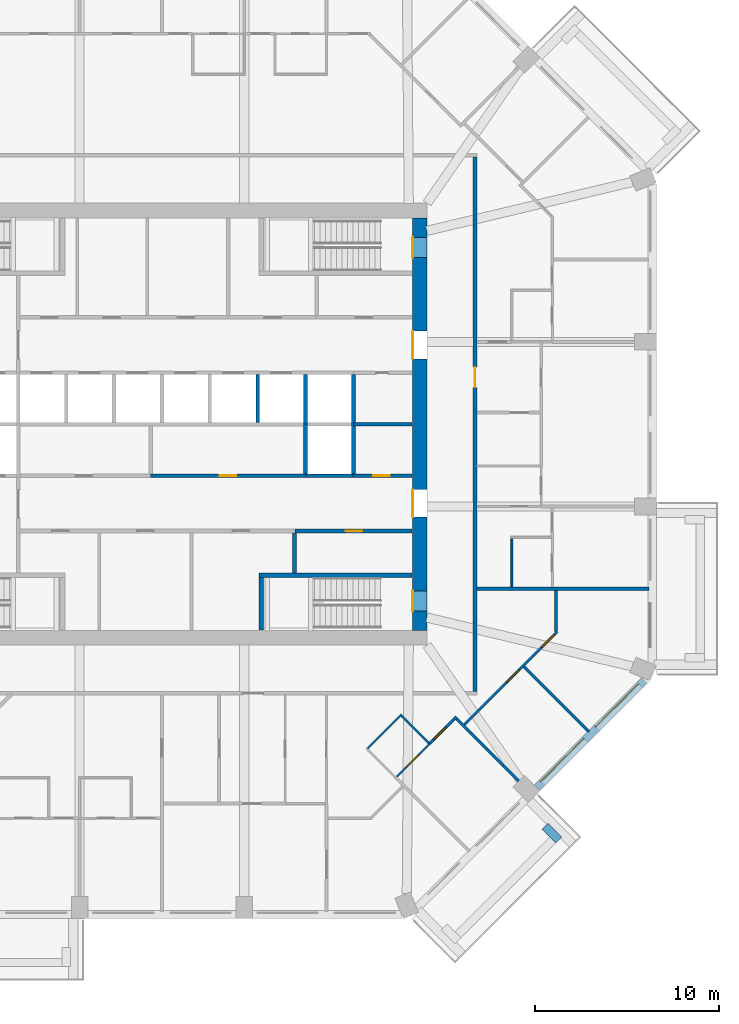
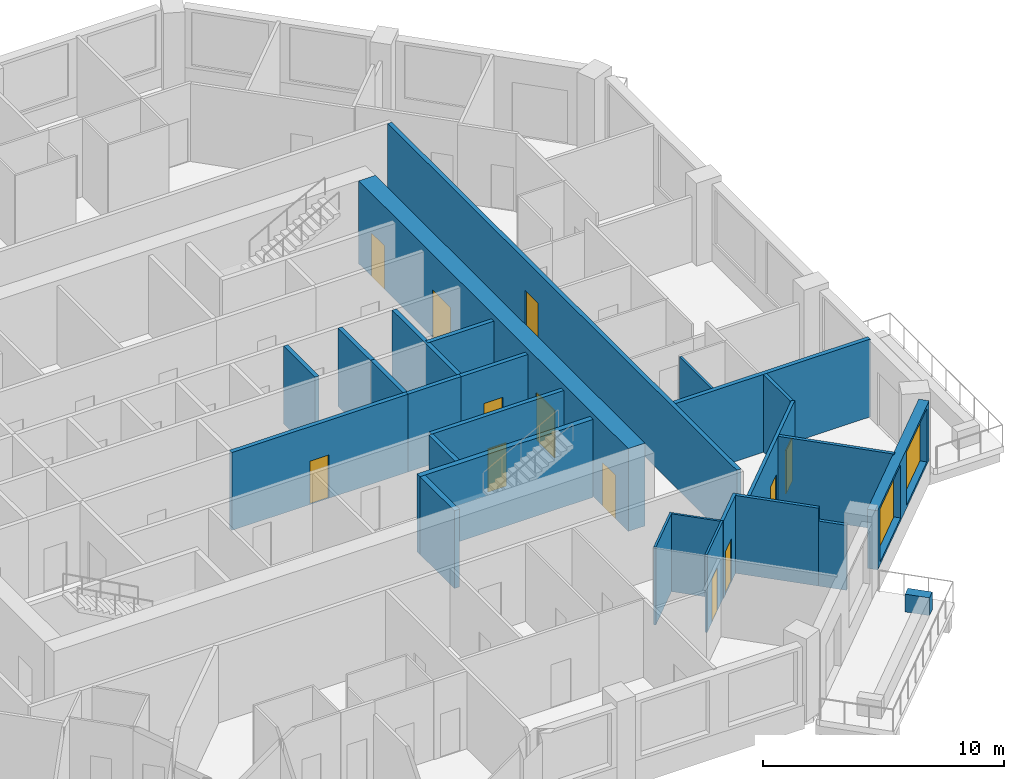
# One storey, part 6 of 12: 27 walls, 12 doors, 2 windows, 14 openings.
"""IFC4 building model written with IfcOpenShell, lengths in metres."""

from ifc_helpers import new_model, si_unit, direction, frame, frame_2d, origin, place, context, subcontext, project, spatial, rectangle, extrude, material, layer, layer_set, type_object, element, fill, save


model = new_model("IFC4")

# Units and contexts
model_context = context("Model", 3, precision=1e-05, world=origin(), true_north=direction((0.0, 1.0)))
body_context = subcontext(model_context, "Body", "Model", "MODEL_VIEW")
ifc_project = project(units=[si_unit("LENGTHUNIT", "METRE"), si_unit("AREAUNIT", "SQUARE_METRE"), si_unit("VOLUMEUNIT", "CUBIC_METRE"), si_unit("PLANEANGLEUNIT", "RADIAN"), si_unit("MASSUNIT", "GRAM", prefix="KILO")], contexts=[model_context])

# Site, building, storey
site_placement = place(None, origin())
site = spatial("IfcSite", under=ifc_project, at=site_placement, CompositionType="ELEMENT")
building_placement = place(site_placement, origin())
building = spatial("IfcBuilding", under=site, at=building_placement, Name="Msitu Wima Residences", CompositionType="ELEMENT")
storey_placement = place(building_placement, frame((0.0, 0.0, 119.10009765625)))
storey = spatial("IfcBuildingStorey", under=building, at=storey_placement, Name="L27", CompositionType="ELEMENT", Elevation=119.10009765625)

# Wall
ifc_material_1 = material(Name="Facing brick")
ifc_layer_1 = layer(ifc_material_1, 0.06494140625, Name="Facing brick")
ifc_material_2 = material(Name="Concrete C40/50", Category="concrete")
ifc_layer_2 = layer(ifc_material_2, 0.156005859375, Name="Concrete C40/50")
ifc_material_3 = material(Name="Waterproofing membrane")
ifc_layer_3 = layer(ifc_material_3, 0.00390625, Name="Waterproofing membrane")
ifc_material_4 = material(Name="Planting soil and planting")
ifc_layer_4 = layer(ifc_material_4, 0.22509765625, Name="Planting soil and planting")
ifc_layer_set_1 = layer_set([ifc_layer_1, ifc_layer_2, ifc_layer_3, ifc_layer_4], Name="Concrete C40/50")
wall_type_1 = type_object("IfcWallType", Name="Balcony planter PLANTER PL450", PredefinedType="USERDEFINED", material=ifc_layer_set_1)
wall_1_placement = place(storey_placement, frame((20.804443359375, -21.829833984375, 0.0), z_axis=(0.0, 0.0, 1.0), x_axis=(0.707106781187, -0.707106781187, 0.0)))
element("IfcWall", 1, at=wall_1_placement, inside=storey, type_object=wall_type_1, Name="Balcony planter SE0 L27", ObjectType="PLANTER", PredefinedType="USERDEFINED", context=body_context, shape_type="SweptSolid", body=[
    extrude(rectangle(XDim=1.050048828125, YDim=0.449951171875, at=frame_2d((0.52490234375, 0.0))), origin(), (0.0, 0.0, 1.0), 0.89990234375),
])

# Wall, openings, windows
ifc_material_5 = material(Name="Brick (red buff mix)", Category="masonry")
ifc_layer_5 = layer(ifc_material_5, 0.449951171875)
ifc_layer_set_2 = layer_set([ifc_layer_5], Name="Brick (red buff mix)")
wall_type_2 = type_object("IfcWallType", Name="Brick infill wall BW450", PredefinedType="SOLIDWALL", material=ifc_layer_set_2)
wall_2_placement = place(storey_placement, frame((20.380126953125, -19.743896484375, 0.89990234375), z_axis=(0.0, 0.0, 1.0), x_axis=(0.707106781187, 0.707106781187, 0.0)))
wall_2 = element("IfcWall", 2, at=wall_2_placement, inside=storey, type_object=wall_type_2, Name="Brick infill wall L27 SE1", PredefinedType="SOLIDWALL", context=body_context, shape_type="SweptSolid", body=[
    extrude(rectangle(XDim=8.251220703125, YDim=0.449951171875, at=frame_2d((4.12548828125, 0.0))), origin(), (0.0, 0.0, 1.0), 3.0),
])
opening_1_placement = place(wall_2_placement, frame((0.37548828125, 0.0, 0.14990234375)))
opening_1 = element("IfcOpeningElement", 3, at=opening_1_placement, cuts=wall_2, Name="Opening W27-29.023", PredefinedType="OPENING", context=body_context, shape_type="SweptSolid", body=[
    extrude(rectangle(XDim=3.300048828125, YDim=2.699951171875, at=frame_2d((1.64990234375, 1.35009765625))), frame((0.0, 0.23486328125, 0.0), z_axis=(0.0, -1.0, 0.0), x_axis=(1.0, 0.0, 0.0)), (0.0, 0.0, 1.0), 0.469970703125),
])
opening_2_placement = place(wall_2_placement, frame((4.57568359375, 0.0, 0.14990234375)))
opening_2 = element("IfcOpeningElement", 4, at=opening_2_placement, cuts=wall_2, Name="Opening W27-29.024", PredefinedType="OPENING", context=body_context, shape_type="SweptSolid", body=[
    extrude(rectangle(XDim=3.300048828125, YDim=2.699951171875, at=frame_2d((1.64990234375, 1.35009765625))), frame((0.0, 0.23486328125, 0.0), z_axis=(0.0, -1.0, 0.0), x_axis=(1.0, 0.0, 0.0)), (0.0, 0.0, 1.0), 0.469970703125),
])
ifc_material_6 = material(Name="Anodised aluminium, bronze finish, clear low-emissivity double glazing", Category="aluminium")
window_type = type_object("IfcWindowType", Name="Window W3300x2700", PartitioningType="DOUBLE_PANEL_VERTICAL", PredefinedType="WINDOW", material=ifc_material_6)
window_1_placement = place(opening_1_placement, origin())
window_1 = element("IfcWindow", 5, at=window_1_placement, inside=storey, type_object=window_type, Name="Window L27 SE1.1", OverallHeight=2.699951171875, OverallWidth=3.300048828125, PartitioningType="SINGLE_PANEL", PredefinedType="WINDOW", context=body_context, shape_type="SweptSolid", body=[
    extrude(rectangle(XDim=3.300048828125, YDim=2.699951171875, at=frame_2d((1.64990234375, 1.35009765625))), frame((0.0, 0.135009765625, 0.0), z_axis=(0.0, -1.0, 0.0), x_axis=(1.0, 0.0, 0.0)), (0.0, 0.0, 1.0), 0.06005859375),
])
fill(opening_1, window_1)
window_2_placement = place(opening_2_placement, origin())
window_2 = element("IfcWindow", 6, at=window_2_placement, inside=storey, type_object=window_type, Name="Window L27 SE1.2", OverallHeight=2.699951171875, OverallWidth=3.300048828125, PartitioningType="SINGLE_PANEL", PredefinedType="WINDOW", context=body_context, shape_type="SweptSolid", body=[
    extrude(rectangle(XDim=3.300048828125, YDim=2.699951171875, at=frame_2d((1.64990234375, 1.35009765625))), frame((0.0, 0.135009765625, 0.0), z_axis=(0.0, -1.0, 0.0), x_axis=(1.0, 0.0, 0.0)), (0.0, 0.0, 1.0), 0.06005859375),
])
fill(opening_2, window_2)

# Wall, openings, doors
ifc_material_7 = material(Name="Concrete C70/85", Category="concrete")
ifc_layer_6 = layer(ifc_material_7, 0.800048828125)
ifc_layer_set_3 = layer_set([ifc_layer_6], Name="Concrete C70/85")
wall_type_3 = type_object("IfcWallType", Name="Core wall CW800 C70/85", PredefinedType="SHEAR", material=ifc_layer_set_3)
wall_3_placement = place(storey_placement, frame((14.0, -11.199951171875, 0.0), z_axis=(0.0, 0.0, 1.0), x_axis=(0.0, 1.0, 0.0)))
wall_3 = element("IfcWall", 7, at=wall_3_placement, inside=storey, type_object=wall_type_3, Name="Core wall", PredefinedType="SHEAR", context=body_context, shape_type="SweptSolid", body=[
    extrude(rectangle(XDim=22.39990234375, YDim=0.800048828125, at=frame_2d((11.199951171875, 0.0))), origin(), (0.0, 0.0, 1.0), 4.199951171875),
])
opening_3_placement = place(wall_3_placement, frame((20.25, 0.0, 0.0)))
opening_3 = element("IfcOpeningElement", 8, at=opening_3_placement, cuts=wall_3, Name="Opening D27-29.035", PredefinedType="OPENING", context=body_context, shape_type="SweptSolid", body=[
    extrude(rectangle(XDim=1.10009765625, YDim=2.199951171875, at=frame_2d((0.550048828125, 1.10009765625))), frame((0.0, 0.409912109375, 0.0), z_axis=(0.0, -1.0, 0.0), x_axis=(1.0, 0.0, 0.0)), (0.0, 0.0, 1.0), 0.820068359375),
])
opening_4_placement = place(wall_3_placement, frame((1.050048828125, 0.0, 0.0)))
opening_4 = element("IfcOpeningElement", 9, at=opening_4_placement, cuts=wall_3, Name="Opening D27-29.036", PredefinedType="OPENING", context=body_context, shape_type="SweptSolid", body=[
    extrude(rectangle(XDim=1.10009765625, YDim=2.199951171875, at=frame_2d((0.550048828125, 1.10009765625))), frame((0.0, 0.409912109375, 0.0), z_axis=(0.0, -1.0, 0.0), x_axis=(1.0, 0.0, 0.0)), (0.0, 0.0, 1.0), 0.820068359375),
])
opening_5_placement = place(wall_3_placement, frame((14.75, 0.0, 0.0)))
opening_5 = element("IfcOpeningElement", 10, at=opening_5_placement, cuts=wall_3, Name="Opening D27-29.025", PredefinedType="OPENING", context=body_context, shape_type="SweptSolid", body=[
    extrude(rectangle(XDim=1.5, YDim=2.39990234375, at=frame_2d((0.75, 1.199951171875))), frame((0.0, 0.409912109375, 0.0), z_axis=(0.0, -1.0, 0.0), x_axis=(1.0, 0.0, 0.0)), (0.0, 0.0, 1.0), 0.820068359375),
])
opening_6_placement = place(wall_3_placement, frame((6.14990234375, 0.0, 0.0)))
opening_6 = element("IfcOpeningElement", 11, at=opening_6_placement, cuts=wall_3, Name="Opening D27-29.026", PredefinedType="OPENING", context=body_context, shape_type="SweptSolid", body=[
    extrude(rectangle(XDim=1.5, YDim=2.39990234375, at=frame_2d((0.75, 1.199951171875))), frame((0.0, 0.409912109375, 0.0), z_axis=(0.0, -1.0, 0.0), x_axis=(1.0, 0.0, 0.0)), (0.0, 0.0, 1.0), 0.820068359375),
])
ifc_material_8 = material(Name="Steel framed glazed door, fire resisting", Category="steel")
door_type_1 = type_object("IfcDoorType", Name="Lobby door D07 1500x2400", OperationType="DOUBLE_DOOR_SINGLE_SWING", PredefinedType="DOOR", material=ifc_material_8)
door_1_placement = place(opening_5_placement, origin())
door_1 = element("IfcDoor", 12, at=door_1_placement, inside=storey, type_object=door_type_1, Name="Lobby door", OperationType="DOUBLE_DOOR_SINGLE_SWING", OverallHeight=2.39990234375, OverallWidth=1.5, PredefinedType="DOOR", context=body_context, shape_type="SweptSolid", body=[
    extrude(rectangle(XDim=1.5, YDim=2.39990234375, at=frame_2d((0.75, 1.199951171875))), frame((0.0, 0.39501953125, 0.0), z_axis=(0.0, -1.0, 0.0), x_axis=(1.0, 0.0, 0.0)), (0.0, 0.0, 1.0), 0.050048828125),
])
fill(opening_5, door_1)
door_2_placement = place(opening_6_placement, origin())
door_2 = element("IfcDoor", 13, at=door_2_placement, inside=storey, type_object=door_type_1, Name="Lobby door", OperationType="DOUBLE_DOOR_SINGLE_SWING", OverallHeight=2.39990234375, OverallWidth=1.5, PredefinedType="DOOR", context=body_context, shape_type="SweptSolid", body=[
    extrude(rectangle(XDim=1.5, YDim=2.39990234375, at=frame_2d((0.75, 1.199951171875))), frame((0.0, 0.39501953125, 0.0), z_axis=(0.0, -1.0, 0.0), x_axis=(1.0, 0.0, 0.0)), (0.0, 0.0, 1.0), 0.050048828125),
])
fill(opening_6, door_2)
ifc_material_9 = material(Name="Steel door, fire resisting, panic bar", Category="steel")
door_type_2 = type_object("IfcDoorType", Name="Stair door D06 1100x2200", OperationType="SINGLE_SWING_LEFT", PredefinedType="DOOR", material=ifc_material_9)
door_3_placement = place(opening_3_placement, origin())
door_3 = element("IfcDoor", 14, at=door_3_placement, inside=storey, type_object=door_type_2, Name="Stair door", OperationType="SINGLE_SWING_LEFT", OverallHeight=2.199951171875, OverallWidth=1.10009765625, PredefinedType="DOOR", context=body_context, shape_type="SweptSolid", body=[
    extrude(rectangle(XDim=1.10009765625, YDim=2.199951171875, at=frame_2d((0.550048828125, 1.10009765625))), frame((0.0, 0.39501953125, 0.0), z_axis=(0.0, -1.0, 0.0), x_axis=(1.0, 0.0, 0.0)), (0.0, 0.0, 1.0), 0.050048828125),
])
fill(opening_3, door_3)
door_4_placement = place(opening_4_placement, origin())
door_4 = element("IfcDoor", 15, at=door_4_placement, inside=storey, type_object=door_type_2, Name="Stair door", OperationType="SINGLE_SWING_RIGHT", OverallHeight=2.199951171875, OverallWidth=1.10009765625, PredefinedType="DOOR", context=body_context, shape_type="SweptSolid", body=[
    extrude(rectangle(XDim=1.10009765625, YDim=2.199951171875, at=frame_2d((0.550048828125, 1.10009765625))), frame((0.0, 0.39501953125, 0.0), z_axis=(0.0, -1.0, 0.0), x_axis=(1.0, 0.0, 0.0)), (0.0, 0.0, 1.0), 0.050048828125),
])
fill(opening_4, door_4)

# Wall, opening, door
ifc_material_10 = material(Name="Plaster")
ifc_layer_7 = layer(ifc_material_10, 0.011962890625, Name="Plaster")
ifc_material_11 = material(Name="Concrete blockwork", Category="masonry")
ifc_layer_8 = layer(ifc_material_11, 0.176025390625, Name="Concrete blockwork")
ifc_layer_9 = layer(ifc_material_10, 0.011962890625, Name="Plaster")
ifc_layer_set_4 = layer_set([ifc_layer_7, ifc_layer_8, ifc_layer_9], Name="Concrete blockwork")
wall_type_4 = type_object("IfcWallType", Name="Corridor wall FW200", PredefinedType="PARTITIONING", material=ifc_layer_set_4)
wall_4_placement = place(storey_placement, frame((17.0, -14.5, 0.0), z_axis=(0.0, 0.0, 1.0), x_axis=(0.0, 1.0, 0.0)))
wall_4 = element("IfcWall", 16, at=wall_4_placement, inside=storey, type_object=wall_type_4, Name="Corridor wall", PredefinedType="PARTITIONING", context=body_context, shape_type="SweptSolid", body=[
    extrude(rectangle(XDim=29.0, YDim=0.199951171875, at=frame_2d((14.5, 0.0))), origin(), (0.0, 0.0, 1.0), 3.949951171875),
])
opening_7_placement = place(wall_4_placement, frame((16.5, 0.0, 0.0)))
opening_7 = element("IfcOpeningElement", 17, at=opening_7_placement, cuts=wall_4, Name="Opening D27-29.008", PredefinedType="OPENING", context=body_context, shape_type="SweptSolid", body=[
    extrude(rectangle(XDim=1.10009765625, YDim=2.39990234375, at=frame_2d((0.550048828125, 1.199951171875))), frame((0.0, 0.10986328125, 0.0), z_axis=(0.0, -1.0, 0.0), x_axis=(1.0, 0.0, 0.0)), (0.0, 0.0, 1.0), 0.219970703125),
])
ifc_material_12 = material(Name="Timber flush door, fire resisting, self-closing", Category="wood")
door_type_3 = type_object("IfcDoorType", Name="Flat entrance door D01 1100x2400", OperationType="SINGLE_SWING_LEFT", PredefinedType="DOOR", material=ifc_material_12)
door_5_placement = place(opening_7_placement, origin())
door_5 = element("IfcDoor", 18, at=door_5_placement, inside=storey, type_object=door_type_3, Name="Flat entrance door", OperationType="SINGLE_SWING_LEFT", OverallHeight=2.39990234375, OverallWidth=1.10009765625, PredefinedType="DOOR", context=body_context, shape_type="SweptSolid", body=[
    extrude(rectangle(XDim=1.10009765625, YDim=2.39990234375, at=frame_2d((0.550048828125, 1.199951171875))), frame((0.0, 0.02490234375, 0.0), z_axis=(0.0, -1.0, 0.0), x_axis=(1.0, 0.0, 0.0)), (0.0, 0.0, 1.0), 0.050048828125),
])
fill(opening_7, door_5)

ifc_layer_10 = layer(ifc_material_10, 0.011962890625, Name="Plaster")
ifc_layer_11 = layer(ifc_material_11, 0.1259765625, Name="Concrete blockwork")
ifc_layer_12 = layer(ifc_material_10, 0.011962890625, Name="Plaster")
ifc_layer_set_5 = layer_set([ifc_layer_10, ifc_layer_11, ifc_layer_12], Name="Concrete blockwork")
wall_type_5 = type_object("IfcWallType", Name="Partition PW150", PredefinedType="PARTITIONING", material=ifc_layer_set_5)
wall_5_placement = place(storey_placement, frame((14.547119140625, -17.339111328125, 0.0), z_axis=(0.0, 0.0, 1.0), x_axis=(0.707106781187, 0.707106781187, 0.0)))
wall_5 = element("IfcWall", 19, at=wall_5_placement, inside=storey, type_object=wall_type_5, Name="Partition", PredefinedType="PARTITIONING", context=body_context, shape_type="SweptSolid", body=[
    extrude(rectangle(XDim=2.049072265625, YDim=0.14990234375, at=frame_2d((1.0244140625, 0.0))), origin(), (0.0, 0.0, 1.0), 3.949951171875),
])
opening_8_placement = place(wall_5_placement, frame((0.300048828125, 0.0, 0.0)))
opening_8 = element("IfcOpeningElement", 20, at=opening_8_placement, cuts=wall_5, Name="Opening D27-29.075", PredefinedType="OPENING", context=body_context, shape_type="SweptSolid", body=[
    extrude(rectangle(XDim=0.949951171875, YDim=2.199951171875, at=frame_2d((0.47509765625, 1.10009765625))), frame((0.0, 0.0849609375, 0.0), z_axis=(0.0, -1.0, 0.0), x_axis=(1.0, 0.0, 0.0)), (0.0, 0.0, 1.0), 0.169921875),
])
ifc_material_13 = material(Name="Timber flush door", Category="wood")
door_type_4 = type_object("IfcDoorType", Name="Room door D12 950x2200", OperationType="SINGLE_SWING_LEFT", PredefinedType="DOOR", material=ifc_material_13)
door_6_placement = place(opening_8_placement, origin())
door_6 = element("IfcDoor", 21, at=door_6_placement, inside=storey, type_object=door_type_4, Name="Room door", OperationType="SINGLE_SWING_LEFT", OverallHeight=2.199951171875, OverallWidth=0.949951171875, PredefinedType="DOOR", context=body_context, shape_type="SweptSolid", body=[
    extrude(rectangle(XDim=0.949951171875, YDim=2.199951171875, at=frame_2d((0.47509765625, 1.10009765625))), frame((0.0, 0.02490234375, 0.0), z_axis=(0.0, -1.0, 0.0), x_axis=(1.0, 0.0, 0.0)), (0.0, 0.0, 1.0), 0.050048828125),
])
fill(opening_8, door_6)

# Walls
wall_6_placement = place(storey_placement, frame((15.99609375, -15.99609375, 0.0), z_axis=(0.0, 0.0, 1.0), x_axis=(0.707106781187, -0.707106781187, 0.0)))
element("IfcWall", 22, at=wall_6_placement, inside=storey, type_object=wall_type_5, Name="Partition", PredefinedType="PARTITIONING", context=body_context, shape_type="SweptSolid", body=[
    extrude(rectangle(XDim=3.56591796875, YDim=0.14990234375, at=frame_2d((1.782958984375, 0.0))), origin(), (0.0, 0.0, 1.0), 3.949951171875),
])
wall_7_placement = place(storey_placement, frame((18.517578125, -18.517578125, 0.0), z_axis=(0.0, 0.0, 1.0), x_axis=(0.707106781187, -0.707106781187, 0.0)))
element("IfcWall", 23, at=wall_7_placement, inside=storey, type_object=wall_type_5, Name="Partition", PredefinedType="PARTITIONING", context=body_context, shape_type="SweptSolid", body=[
    extrude(rectangle(XDim=1.209228515625, YDim=0.14990234375, at=frame_2d((0.6044921875, 0.0))), origin(), (0.0, 0.0, 1.0), 3.2998046875),
])

# Wall, openings, doors
wall_8_placement = place(storey_placement, frame((16.42041015625, -16.314453125, 0.0), z_axis=(0.0, 0.0, 1.0), x_axis=(0.707106781187, 0.707106781187, 0.0)))
wall_8 = element("IfcWall", 24, at=wall_8_placement, inside=storey, type_object=wall_type_5, Name="Partition", PredefinedType="PARTITIONING", context=body_context, shape_type="SweptSolid", body=[
    extrude(rectangle(XDim=7.117431640625, YDim=0.14990234375, at=frame_2d((3.55859375, 0.0))), origin(), (0.0, 0.0, 1.0), 3.949951171875),
])
opening_9_placement = place(wall_8_placement, frame((3.25, 0.0, 0.0)))
opening_9 = element("IfcOpeningElement", 25, at=opening_9_placement, cuts=wall_8, Name="Opening D27-29.074", PredefinedType="OPENING", context=body_context, shape_type="SweptSolid", body=[
    extrude(rectangle(XDim=0.949951171875, YDim=2.199951171875, at=frame_2d((0.47509765625, 1.10009765625))), frame((0.0, 0.0849609375, 0.0), z_axis=(0.0, -1.0, 0.0), x_axis=(1.0, 0.0, 0.0)), (0.0, 0.0, 1.0), 0.169921875),
])
opening_10_placement = place(wall_8_placement, frame((5.949951171875, 0.0, 0.0)))
opening_10 = element("IfcOpeningElement", 26, at=opening_10_placement, cuts=wall_8, Name="Opening D27-29.077", PredefinedType="OPENING", context=body_context, shape_type="SweptSolid", body=[
    extrude(rectangle(XDim=0.949951171875, YDim=2.199951171875, at=frame_2d((0.47509765625, 1.10009765625))), frame((0.0, 0.0849609375, 0.0), z_axis=(0.0, -1.0, 0.0), x_axis=(1.0, 0.0, 0.0)), (0.0, 0.0, 1.0), 0.169921875),
])
door_7_placement = place(opening_9_placement, origin())
door_7 = element("IfcDoor", 27, at=door_7_placement, inside=storey, type_object=door_type_4, Name="Room door", OperationType="SINGLE_SWING_LEFT", OverallHeight=2.199951171875, OverallWidth=0.949951171875, PredefinedType="DOOR", context=body_context, shape_type="SweptSolid", body=[
    extrude(rectangle(XDim=0.949951171875, YDim=2.199951171875, at=frame_2d((0.47509765625, 1.10009765625))), frame((0.0, 0.02490234375, 0.0), z_axis=(0.0, -1.0, 0.0), x_axis=(1.0, 0.0, 0.0)), (0.0, 0.0, 1.0), 0.050048828125),
])
fill(opening_9, door_7)
door_8_placement = place(opening_10_placement, origin())
door_8 = element("IfcDoor", 28, at=door_8_placement, inside=storey, type_object=door_type_4, Name="Room door", OperationType="SINGLE_SWING_RIGHT", OverallHeight=2.199951171875, OverallWidth=0.949951171875, PredefinedType="DOOR", context=body_context, shape_type="SweptSolid", body=[
    extrude(rectangle(XDim=0.949951171875, YDim=2.199951171875, at=frame_2d((0.47509765625, 1.10009765625))), frame((0.0, 0.02490234375, 0.0), z_axis=(0.0, -1.0, 0.0), x_axis=(1.0, 0.0, 0.0)), (0.0, 0.0, 1.0), 0.050048828125),
])
fill(opening_10, door_8)

# Walls
wall_9_placement = place(storey_placement, frame((19.6689453125, -13.171875, 0.0), z_axis=(0.0, 0.0, 1.0), x_axis=(0.707106781187, -0.707106781187, 0.0)))
element("IfcWall", 29, at=wall_9_placement, inside=storey, type_object=wall_type_5, Name="Partition", PredefinedType="PARTITIONING", context=body_context, shape_type="SweptSolid", body=[
    extrude(rectangle(XDim=4.980224609375, YDim=0.14990234375, at=frame_2d((2.490234375, 0.0))), origin(), (0.0, 0.0, 1.0), 3.949951171875),
])
wall_10_placement = place(storey_placement, frame((21.39990234375, -11.259765625, 0.0), z_axis=(0.0, 0.0, 1.0), x_axis=(0.0, 1.0, 0.0)))
element("IfcWall", 30, at=wall_10_placement, inside=storey, type_object=wall_type_5, Name="Partition", PredefinedType="PARTITIONING", context=body_context, shape_type="SweptSolid", body=[
    extrude(rectangle(XDim=2.222412109375, YDim=0.14990234375, at=frame_2d((1.111328125, 0.0))), origin(), (0.0, 0.0, 1.0), 3.949951171875),
])
ifc_layer_13 = layer(ifc_material_10, 0.011962890625, Name="Plaster")
ifc_material_14 = material(Name="Dense concrete blockwork", Category="masonry")
ifc_layer_14 = layer(ifc_material_14, 0.176025390625, Name="Dense concrete blockwork")
ifc_layer_15 = layer(ifc_material_10, 0.011962890625, Name="Plaster")
ifc_layer_set_6 = layer_set([ifc_layer_13, ifc_layer_14, ifc_layer_15], Name="Dense concrete blockwork")
wall_type_6 = type_object("IfcWallType", Name="Party wall PW200", PredefinedType="PARTITIONING", material=ifc_layer_set_6)
wall_11_placement = place(storey_placement, frame((17.10009765625, -8.937255859375, 0.0), z_axis=(0.0, 0.0, 1.0), x_axis=(1.0, 0.0, 0.0)))
element("IfcWall", 31, at=wall_11_placement, inside=storey, type_object=wall_type_6, Name="Party wall", PredefinedType="PARTITIONING", context=body_context, shape_type="SweptSolid", body=[
    extrude(rectangle(XDim=9.35498046875, YDim=0.199951171875, at=frame_2d((4.677490234375, 0.0))), origin(), (0.0, 0.0, 1.0), 3.949951171875),
])

# Wall, opening, door
ifc_layer_16 = layer(ifc_material_10, 0.011962890625, Name="Plaster")
ifc_material_15 = material(Name="Reinforced concrete blockwork", Category="masonry")
ifc_layer_17 = layer(ifc_material_15, 0.176025390625, Name="Reinforced concrete blockwork")
ifc_layer_18 = layer(ifc_material_10, 0.011962890625, Name="Plaster")
ifc_layer_set_7 = layer_set([ifc_layer_16, ifc_layer_17, ifc_layer_18], Name="Reinforced concrete blockwork")
wall_type_7 = type_object("IfcWallType", Name="Plant and riser wall PL200", PredefinedType="PARTITIONING", material=ifc_layer_set_7)
wall_12_placement = place(storey_placement, frame((-0.6201171875, -2.800048828125, 0.0), z_axis=(0.0, 0.0, 1.0), x_axis=(1.0, 0.0, 0.0)))
wall_12 = element("IfcWall", 32, at=wall_12_placement, inside=storey, type_object=wall_type_7, Name="Plant and riser wall", PredefinedType="PARTITIONING", context=body_context, shape_type="SweptSolid", body=[
    extrude(rectangle(XDim=8.440185546875, YDim=0.199951171875, at=frame_2d((4.22021484375, 0.0))), origin(), (0.0, 0.0, 1.0), 3.949951171875),
])
opening_11_placement = place(wall_12_placement, frame((3.75, 0.0, 0.0)))
opening_11 = element("IfcOpeningElement", 33, at=opening_11_placement, cuts=wall_12, Name="Opening D27-29.030", PredefinedType="OPENING", context=body_context, shape_type="SweptSolid", body=[
    extrude(rectangle(XDim=0.89990234375, YDim=2.199951171875, at=frame_2d((0.449951171875, 1.10009765625))), frame((0.0, 0.10986328125, 0.0), z_axis=(0.0, -1.0, 0.0), x_axis=(1.0, 0.0, 0.0)), (0.0, 0.0, 1.0), 0.219970703125),
])
door_type_5 = type_object("IfcDoorType", Name="Service door D05 900x2200", OperationType="SINGLE_SWING_LEFT", PredefinedType="DOOR", material=ifc_material_13)
door_9_placement = place(opening_11_placement, origin())
door_9 = element("IfcDoor", 34, at=door_9_placement, inside=storey, type_object=door_type_5, Name="Service door", OperationType="SINGLE_SWING_LEFT", OverallHeight=2.199951171875, OverallWidth=0.89990234375, PredefinedType="DOOR", context=body_context, shape_type="SweptSolid", body=[
    extrude(rectangle(XDim=0.89990234375, YDim=2.199951171875, at=frame_2d((0.449951171875, 1.10009765625))), frame((0.0, 0.02490234375, 0.0), z_axis=(0.0, -1.0, 0.0), x_axis=(1.0, 0.0, 0.0)), (0.0, 0.0, 1.0), 0.050048828125),
])
fill(opening_11, door_9)

wall_13_placement = place(storey_placement, frame((7.219970703125, -5.800048828125, 0.0), z_axis=(0.0, 0.0, 1.0), x_axis=(1.0, 0.0, 0.0)))
wall_13 = element("IfcWall", 35, at=wall_13_placement, inside=storey, type_object=wall_type_7, Name="Plant and riser wall", PredefinedType="PARTITIONING", context=body_context, shape_type="SweptSolid", body=[
    extrude(rectangle(XDim=6.35009765625, YDim=0.199951171875, at=frame_2d((3.175048828125, 0.0))), origin(), (0.0, 0.0, 1.0), 3.949951171875),
])
opening_12_placement = place(wall_13_placement, frame((2.75, 0.0, 0.0)))
opening_12 = element("IfcOpeningElement", 36, at=opening_12_placement, cuts=wall_13, Name="Opening D27-29.024", PredefinedType="OPENING", context=body_context, shape_type="SweptSolid", body=[
    extrude(rectangle(XDim=0.89990234375, YDim=2.199951171875, at=frame_2d((0.449951171875, 1.10009765625))), frame((0.0, 0.10986328125, 0.0), z_axis=(0.0, -1.0, 0.0), x_axis=(1.0, 0.0, 0.0)), (0.0, 0.0, 1.0), 0.219970703125),
])
door_10_placement = place(opening_12_placement, origin())
door_10 = element("IfcDoor", 37, at=door_10_placement, inside=storey, type_object=door_type_5, Name="Service door", OperationType="SINGLE_SWING_RIGHT", OverallHeight=2.199951171875, OverallWidth=0.89990234375, PredefinedType="DOOR", context=body_context, shape_type="SweptSolid", body=[
    extrude(rectangle(XDim=0.89990234375, YDim=2.199951171875, at=frame_2d((0.449951171875, 1.10009765625))), frame((0.0, 0.02490234375, 0.0), z_axis=(0.0, -1.0, 0.0), x_axis=(1.0, 0.0, 0.0)), (0.0, 0.0, 1.0), 0.050048828125),
])
fill(opening_12, door_10)

# Wall
wall_14_placement = place(storey_placement, frame((7.199951171875, -8.074951171875, 0.0), z_axis=(0.0, 0.0, 1.0), x_axis=(0.0, 1.0, 0.0)))
element("IfcWall", 38, at=wall_14_placement, inside=storey, type_object=wall_type_7, Name="Plant and riser wall", PredefinedType="PARTITIONING", context=body_context, shape_type="SweptSolid", body=[
    extrude(rectangle(XDim=2.175048828125, YDim=0.199951171875, at=frame_2d((1.08740234375, 0.0))), origin(), (0.0, 0.0, 1.0), 3.949951171875),
])

# Wall, opening, door
wall_15_placement = place(storey_placement, frame((10.3798828125, -2.800048828125, 0.0), z_axis=(0.0, 0.0, 1.0), x_axis=(1.0, 0.0, 0.0)))
wall_15 = element("IfcWall", 39, at=wall_15_placement, inside=storey, type_object=wall_type_7, Name="Plant and riser wall", PredefinedType="PARTITIONING", context=body_context, shape_type="SweptSolid", body=[
    extrude(rectangle(XDim=3.190185546875, YDim=0.199951171875, at=frame_2d((1.59521484375, 0.0))), origin(), (0.0, 0.0, 1.0), 3.949951171875),
])
opening_13_placement = place(wall_15_placement, frame((1.10009765625, 0.0, 0.0)))
opening_13 = element("IfcOpeningElement", 40, at=opening_13_placement, cuts=wall_15, Name="Opening D27-29.011", PredefinedType="OPENING", context=body_context, shape_type="SweptSolid", body=[
    extrude(rectangle(XDim=0.89990234375, YDim=2.199951171875, at=frame_2d((0.449951171875, 1.10009765625))), frame((0.0, 0.10986328125, 0.0), z_axis=(0.0, -1.0, 0.0), x_axis=(1.0, 0.0, 0.0)), (0.0, 0.0, 1.0), 0.219970703125),
])
door_11_placement = place(opening_13_placement, origin())
door_11 = element("IfcDoor", 41, at=door_11_placement, inside=storey, type_object=door_type_5, Name="Service door", OperationType="SINGLE_SWING_LEFT", OverallHeight=2.199951171875, OverallWidth=0.89990234375, PredefinedType="DOOR", context=body_context, shape_type="SweptSolid", body=[
    extrude(rectangle(XDim=0.89990234375, YDim=2.199951171875, at=frame_2d((0.449951171875, 1.10009765625))), frame((0.0, 0.02490234375, 0.0), z_axis=(0.0, -1.0, 0.0), x_axis=(1.0, 0.0, 0.0)), (0.0, 0.0, 1.0), 0.050048828125),
])
fill(opening_13, door_11)

# Walls
wall_16_placement = place(storey_placement, frame((10.39990234375, 0.0, 0.0), z_axis=(0.0, 0.0, 1.0), x_axis=(1.0, 0.0, 0.0)))
element("IfcWall", 42, at=wall_16_placement, inside=storey, type_object=wall_type_7, Name="Plant and riser wall", PredefinedType="PARTITIONING", context=body_context, shape_type="SweptSolid", body=[
    extrude(rectangle(XDim=3.170166015625, YDim=0.199951171875, at=frame_2d((1.5849609375, 0.0))), origin(), (0.0, 0.0, 1.0), 3.949951171875),
])
ifc_material_16 = material(Name="Fire-rated board")
ifc_layer_19 = layer(ifc_material_16, 0.02490234375, Name="Fire-rated board")
ifc_material_17 = material(Name="Light-gauge stud framing with mineral wool")
ifc_layer_20 = layer(ifc_material_17, 0.14990234375, Name="Light-gauge stud framing with mineral wool")
ifc_layer_21 = layer(ifc_material_16, 0.02490234375, Name="Fire-rated board")
ifc_layer_set_8 = layer_set([ifc_layer_19, ifc_layer_20, ifc_layer_21], Name="Light-gauge stud framing with mineral wool")
wall_type_8 = type_object("IfcWallType", Name="Shaft wall SH200", PredefinedType="PARTITIONING", material=ifc_layer_set_8)
wall_17_placement = place(storey_placement, frame((5.199951171875, 0.10009765625, 0.0), z_axis=(0.0, 0.0, 1.0), x_axis=(0.0, 1.0, 0.0)))
element("IfcWall", 43, at=wall_17_placement, inside=storey, type_object=wall_type_8, Name="Shaft wall", PredefinedType="PARTITIONING", context=body_context, shape_type="SweptSolid", body=[
    extrude(rectangle(XDim=2.599853515625, YDim=0.199951171875, at=frame_2d((1.2998046875, 0.0))), origin(), (0.0, 0.0, 1.0), 3.949951171875),
])
wall_18_placement = place(storey_placement, frame((7.800048828125, -2.699951171875, 0.0), z_axis=(0.0, 0.0, 1.0), x_axis=(0.0, 1.0, 0.0)))
element("IfcWall", 44, at=wall_18_placement, inside=storey, type_object=wall_type_8, Name="Shaft wall", PredefinedType="PARTITIONING", context=body_context, shape_type="SweptSolid", body=[
    extrude(rectangle(XDim=2.699951171875, YDim=0.199951171875, at=frame_2d((1.35009765625, 0.0))), origin(), (0.0, 0.0, 1.0), 3.949951171875),
])
wall_19_placement = place(storey_placement, frame((7.820068359375, -2.800048828125, 0.0), z_axis=(0.0, 0.0, 1.0), x_axis=(1.0, 0.0, 0.0)))
element("IfcWall", 45, at=wall_19_placement, inside=storey, type_object=wall_type_8, Name="Shaft wall", PredefinedType="PARTITIONING", context=body_context, shape_type="SweptSolid", body=[
    extrude(rectangle(XDim=2.559814453125, YDim=0.199951171875, at=frame_2d((1.27978515625, 0.0))), origin(), (0.0, 0.0, 1.0), 3.949951171875),
])
wall_20_placement = place(storey_placement, frame((7.800048828125, 0.0, 0.0), z_axis=(0.0, 0.0, 1.0), x_axis=(0.0, 1.0, 0.0)))
element("IfcWall", 46, at=wall_20_placement, inside=storey, type_object=wall_type_8, Name="Shaft wall", PredefinedType="PARTITIONING", context=body_context, shape_type="SweptSolid", body=[
    extrude(rectangle(XDim=2.699951171875, YDim=0.199951171875, at=frame_2d((1.35009765625, 0.0))), origin(), (0.0, 0.0, 1.0), 3.949951171875),
])
wall_21_placement = place(storey_placement, frame((10.39990234375, -2.699951171875, 0.0), z_axis=(0.0, 0.0, 1.0), x_axis=(0.0, 1.0, 0.0)))
element("IfcWall", 47, at=wall_21_placement, inside=storey, type_object=wall_type_8, Name="Shaft wall", PredefinedType="PARTITIONING", context=body_context, shape_type="SweptSolid", body=[
    extrude(rectangle(XDim=5.39990234375, YDim=0.199951171875, at=frame_2d((2.699951171875, 0.0))), origin(), (0.0, 0.0, 1.0), 3.949951171875),
])
ifc_material_18 = material(Name="Concrete C50/60", Category="concrete")
ifc_layer_22 = layer(ifc_material_18, 0.25)
ifc_layer_set_9 = layer_set([ifc_layer_22], Name="Concrete C50/60")
wall_type_9 = type_object("IfcWallType", Name="Stair enclosure wall SW250", PredefinedType="SHEAR", material=ifc_layer_set_9)
wall_22_placement = place(storey_placement, frame((5.39990234375, -11.169921875, 0.0), z_axis=(0.0, 0.0, 1.0), x_axis=(0.0, 1.0, 0.0)))
element("IfcWall", 48, at=wall_22_placement, inside=storey, type_object=wall_type_9, Name="Stair enclosure wall", PredefinedType="SHEAR", context=body_context, shape_type="SweptSolid", body=[
    extrude(rectangle(XDim=2.844970703125, YDim=0.25, at=frame_2d((1.42236328125, 0.0))), origin(), (0.0, 0.0, 1.0), 3.949951171875),
])
wall_23_placement = place(storey_placement, frame((5.27490234375, -8.199951171875, 0.0), z_axis=(0.0, 0.0, 1.0), x_axis=(1.0, 0.0, 0.0)))
element("IfcWall", 49, at=wall_23_placement, inside=storey, type_object=wall_type_9, Name="Stair enclosure wall", PredefinedType="SHEAR", context=body_context, shape_type="SweptSolid", body=[
    extrude(rectangle(XDim=8.295166015625, YDim=0.25, at=frame_2d((4.1474609375, 0.0))), origin(), (0.0, 0.0, 1.0), 3.949951171875),
])
ifc_material_19 = material(Name="Ceramic tiles")
ifc_layer_23 = layer(ifc_material_19, 0.008056640625, Name="Ceramic tiles")
ifc_material_20 = material(Name="Moisture-resistant board")
ifc_layer_24 = layer(ifc_material_20, 0.012451171875, Name="Moisture-resistant board")
ifc_layer_25 = layer(ifc_material_17, 0.06689453125, Name="Light-gauge stud framing with mineral wool")
ifc_layer_26 = layer(ifc_material_20, 0.012451171875, Name="Moisture-resistant board")
ifc_layer_set_10 = layer_set([ifc_layer_23, ifc_layer_24, ifc_layer_25, ifc_layer_26], Name="Light-gauge stud framing with mineral wool")
wall_type_10 = type_object("IfcWallType", Name="Wet wall PW100", PredefinedType="PARTITIONING", material=ifc_layer_set_10)
wall_24_placement = place(storey_placement, frame((11.17431640625, -17.6005859375, 0.0), z_axis=(0.0, 0.0, 1.0), x_axis=(0.707106781187, 0.707106781187, 0.0)))
element("IfcWall", 50, at=wall_24_placement, inside=storey, type_object=wall_type_10, Name="Wet wall", PredefinedType="PARTITIONING", context=body_context, shape_type="SweptSolid", body=[
    extrude(rectangle(XDim=2.599853515625, YDim=0.10009765625, at=frame_2d((1.2998046875, 0.0))), origin(), (0.0, 0.0, 1.0), 3.949951171875),
])

# Wall, opening, door
wall_25_placement = place(storey_placement, frame((12.74755859375, -19.138671875, 0.0), z_axis=(0.0, 0.0, 1.0), x_axis=(0.707106781187, 0.707106781187, 0.0)))
wall_25 = element("IfcWall", 51, at=wall_25_placement, inside=storey, type_object=wall_type_10, Name="Wet wall", PredefinedType="PARTITIONING", context=body_context, shape_type="SweptSolid", body=[
    extrude(rectangle(XDim=2.544921875, YDim=0.10009765625, at=frame_2d((1.2724609375, 0.0))), origin(), (0.0, 0.0, 1.0), 3.949951171875),
])
opening_14_placement = place(wall_25_placement, frame((0.75, 0.0, 0.0)))
opening_14 = element("IfcOpeningElement", 52, at=opening_14_placement, cuts=wall_25, Name="Opening D27-29.076", PredefinedType="OPENING", context=body_context, shape_type="SweptSolid", body=[
    extrude(rectangle(XDim=0.89990234375, YDim=2.199951171875, at=frame_2d((0.449951171875, 1.10009765625))), frame((0.0, 0.06005859375, 0.0), z_axis=(0.0, -1.0, 0.0), x_axis=(1.0, 0.0, 0.0)), (0.0, 0.0, 1.0), 0.1201171875),
])
ifc_material_21 = material(Name="Timber flush door, moisture resistant", Category="wood")
door_type_6 = type_object("IfcDoorType", Name="Bathroom door D03 900x2200", OperationType="SINGLE_SWING_LEFT", PredefinedType="DOOR", material=ifc_material_21)
door_12_placement = place(opening_14_placement, origin())
door_12 = element("IfcDoor", 53, at=door_12_placement, inside=storey, type_object=door_type_6, Name="Bathroom door", OperationType="SINGLE_SWING_LEFT", OverallHeight=2.199951171875, OverallWidth=0.89990234375, PredefinedType="DOOR", context=body_context, shape_type="SweptSolid", body=[
    extrude(rectangle(XDim=0.89990234375, YDim=2.199951171875, at=frame_2d((0.449951171875, 1.10009765625))), frame((0.0, 0.02490234375, 0.0), z_axis=(0.0, -1.0, 0.0), x_axis=(1.0, 0.0, 0.0)), (0.0, 0.0, 1.0), 0.050048828125),
])
fill(opening_14, door_12)

# Walls
wall_26_placement = place(storey_placement, frame((13.0126953125, -15.8330078125, 0.0), z_axis=(0.0, 0.0, 1.0), x_axis=(0.707164905125, -0.70704865247, 0.0)))
element("IfcWall", 54, at=wall_26_placement, inside=storey, type_object=wall_type_10, Name="Wet wall", PredefinedType="PARTITIONING", context=body_context, shape_type="SweptSolid", body=[
    extrude(rectangle(XDim=2.10009765625, YDim=0.10009765625, at=frame_2d((1.050048828125, 0.0))), origin(), (0.0, 0.0, 1.0), 3.949951171875),
])
wall_27_placement = place(storey_placement, frame((19.0, -8.837158203125, 0.0), z_axis=(0.0, 0.0, 1.0), x_axis=(0.0, 1.0, 0.0)))
element("IfcWall", 55, at=wall_27_placement, inside=storey, type_object=wall_type_10, Name="Wet wall", PredefinedType="PARTITIONING", context=body_context, shape_type="SweptSolid", body=[
    extrude(rectangle(XDim=2.64990234375, YDim=0.10009765625, at=frame_2d((1.324951171875, 0.0))), origin(), (0.0, 0.0, 1.0), 3.949951171875),
])

save(model, "model.ifc")
